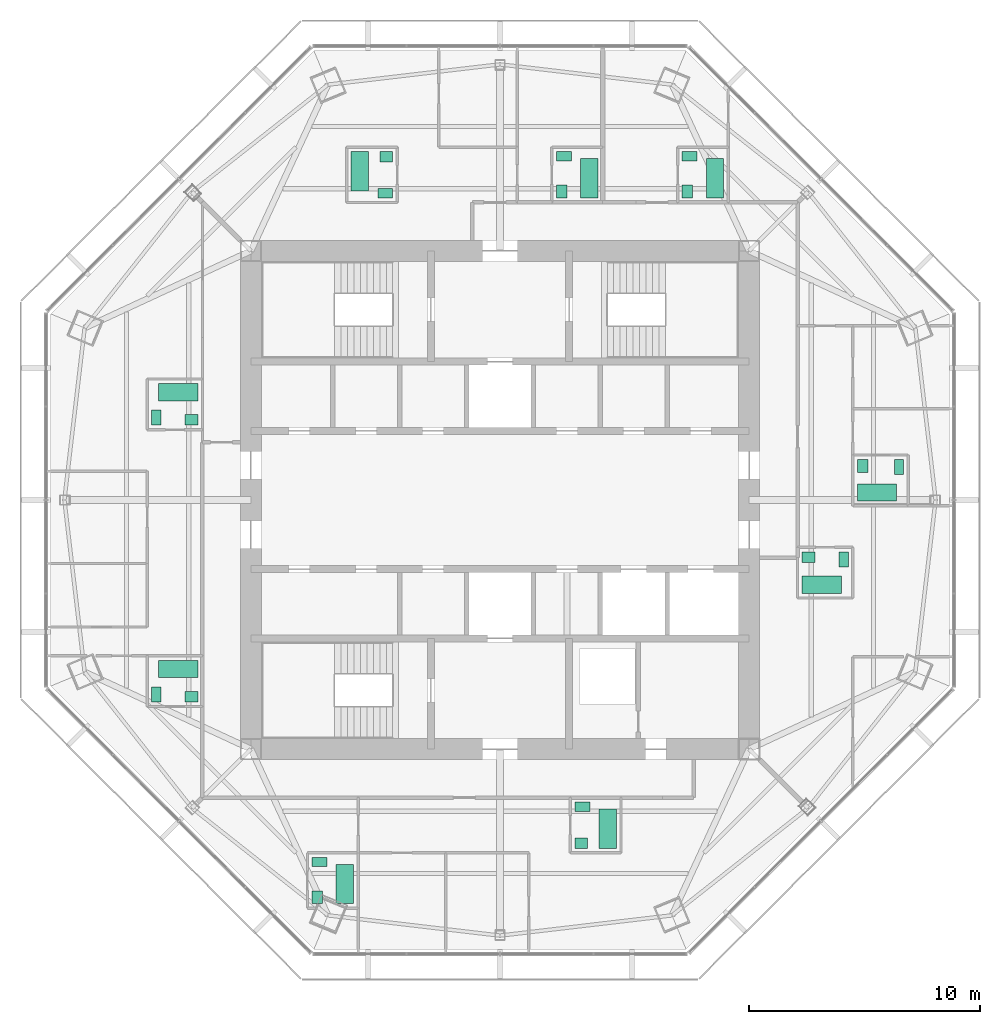
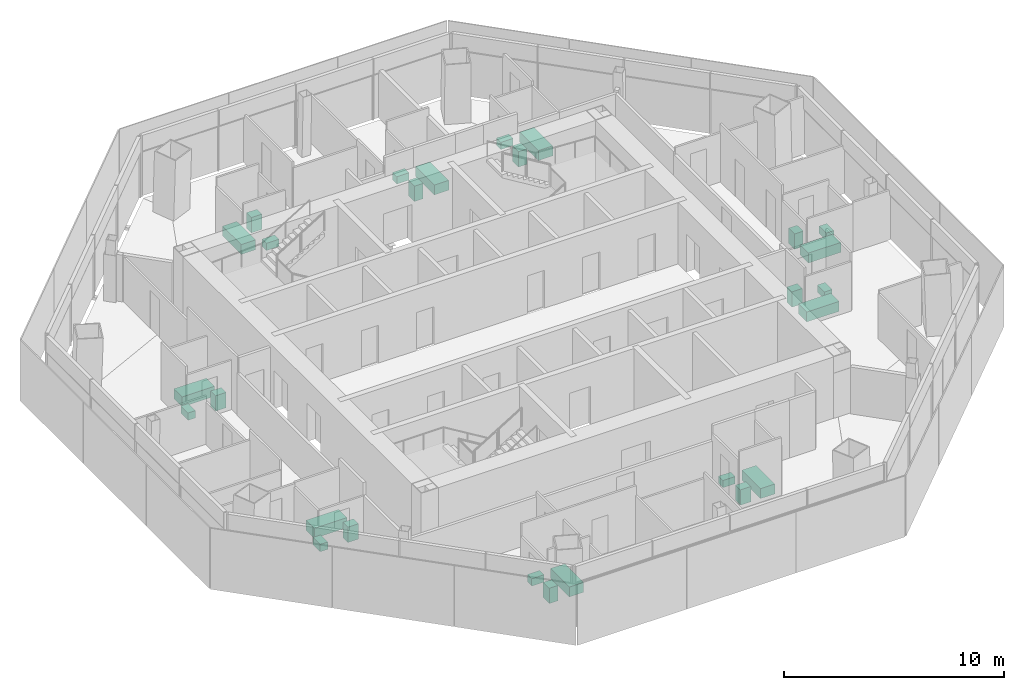
# One storey, part 15 of 15: 27 sanitary terminals.
"""IFC4 building model written with IfcOpenShell, lengths in metres."""

from ifc_helpers import new_model, si_unit, direction, frame, origin, origin_2d, place, context, subcontext, project, spatial, rectangle, extrude, material, type_object, element, save


model = new_model("IFC4")

# Units and contexts
model_context = context("Model", 3, precision=1e-05, world=origin(), true_north=direction((0.0, 1.0)))
body_context = subcontext(model_context, "Body", "Model", "MODEL_VIEW")
ifc_project = project(units=[si_unit("LENGTHUNIT", "METRE"), si_unit("AREAUNIT", "SQUARE_METRE"), si_unit("VOLUMEUNIT", "CUBIC_METRE"), si_unit("PLANEANGLEUNIT", "RADIAN"), si_unit("MASSUNIT", "GRAM", prefix="KILO")], contexts=[model_context])

# Site, building, storey
site_placement = place(None, origin())
site = spatial("IfcSite", under=ifc_project, at=site_placement, CompositionType="ELEMENT")
building_placement = place(site_placement, origin())
building = spatial("IfcBuilding", under=site, at=building_placement, Name="Mashrafa Tower", CompositionType="ELEMENT")
storey_placement = place(building_placement, frame((0.0, 0.0, 294.60009765625)))
storey = spatial("IfcBuildingStorey", under=building, at=storey_placement, Name="L72", CompositionType="ELEMENT", Elevation=294.60009765625)

# Sanitary terminals
ifc_material_1 = material(Name="Enamelled steel", Category="steel")
sanitary_terminal_type_1 = type_object("IfcSanitaryTerminalType", Name="Bath 1700 x 750", PredefinedType="BATH", material=ifc_material_1)
for number, where, z_axis, x_axis, name in (
    (1, (13.949951171875, -3.675048828125, 0.0), (0.0, 0.0, 1.0), (1.0, 0.0, 0.0), "Bath Apartment 7201 Bathroom"),
    (2, (16.35009765625, 0.324951171875, 0.0), (0.0, 0.0, 1.0), (1.0, 0.0, 0.0), "Bath Apartment 7201 En-suite Bathroom"),
    (3, (9.324951171875, 13.949951171875, 0.0), (0.0, 0.0, 1.0), (0.0, 1.0, 0.0), "Bath Apartment 7202 Bathroom"),
    (4, (-6.074951171875, 14.25, 0.0), (0.0, 0.0, 1.0), (0.0, -1.0, 0.0), "Bath Apartment 7203 Bathroom"),
    (5, (3.875, 13.949951171875, 0.0), (0.0, 0.0, 1.0), (0.0, 1.0, 0.0), "Bath Apartment 7203 En-suite Bathroom"),
    (6, (-13.949951171875, 4.675048828125, 0.0), (0.0, 0.0, 1.0), (-1.0, 0.0, 0.0), "Bath Apartment 7204 Bathroom"),
    (7, (-13.949951171875, -7.324951171875, 0.0), (0.0, 0.0, 1.0), (-1.0, 0.0, 0.0), "Bath Apartment 7204 En-suite Bathroom"),
    (8, (4.675048828125, -14.25, 0.0), (0.0, 0.0, 1.0), (0.0, 1.0, 0.0), "Bath Apartment 7205 Bathroom"),
    (9, (-6.72509765625, -16.64990234375, 0.0), (0.0, 0.0, 1.0), (0.0, 1.0, 0.0), "Bath Apartment 7205 En-suite Bathroom"),
):
    element("IfcSanitaryTerminal", number, at=place(storey_placement, frame(where, z_axis=z_axis, x_axis=x_axis)), inside=storey, type_object=sanitary_terminal_type_1, Name=name, PredefinedType="BATH", context=body_context, shape_type="SweptSolid", body=[
        extrude(rectangle(XDim=1.699951171875, YDim=0.75, at=origin_2d()), origin(), (0.0, 0.0, 1.0), 0.550048828125),
    ])
ifc_material_2 = material(Name="Vitreous china")
sanitary_terminal_type_2 = type_object("IfcSanitaryTerminalType", Name="Toilet pan 400 x 650", PredefinedType="TOILETPAN", material=ifc_material_2)
for number, where, z_axis, x_axis, name in (
    (10, (14.89990234375, -2.574951171875, 0.0), (0.0, 0.0, 1.0), (-1.0, 0.0, 0.0), "Toilet pan Apartment 7201 Bathroom"),
    (11, (17.300048828125, 1.425048828125, 0.0), (0.0, 0.0, 1.0), (-1.0, 0.0, 0.0), "Toilet pan Apartment 7201 En-suite Bathroom"),
    (12, (8.22509765625, 14.89990234375, 0.0), (0.0, 0.0, 1.0), (0.0, -1.0, 0.0), "Toilet pan Apartment 7202 Bathroom"),
    (13, (-4.97509765625, 13.300048828125, 0.0), (0.0, 0.0, 1.0), (0.0, 1.0, 0.0), "Toilet pan Apartment 7203 Bathroom"),
    (14, (2.77490234375, 14.89990234375, 0.0), (0.0, 0.0, 1.0), (0.0, -1.0, 0.0), "Toilet pan Apartment 7203 En-suite Bathroom"),
    (15, (-14.89990234375, 3.574951171875, 0.0), (0.0, 0.0, 1.0), (1.0, 0.0, 0.0), "Toilet pan Apartment 7204 Bathroom"),
    (16, (-14.89990234375, -8.425048828125, 0.0), (0.0, 0.0, 1.0), (1.0, 0.0, 0.0), "Toilet pan Apartment 7204 En-suite Bathroom"),
    (17, (3.574951171875, -13.300048828125, 0.0), (0.0, 0.0, 1.0), (0.0, -1.0, 0.0), "Toilet pan Apartment 7205 Bathroom"),
    (18, (-7.824951171875, -15.699951171875, 0.0), (0.0, 0.0, 1.0), (0.0, -1.0, 0.0), "Toilet pan Apartment 7205 En-suite Bathroom"),
):
    element("IfcSanitaryTerminal", number, at=place(storey_placement, frame(where, z_axis=z_axis, x_axis=x_axis)), inside=storey, type_object=sanitary_terminal_type_2, Name=name, PredefinedType="TOILETPAN", context=body_context, shape_type="SweptSolid", body=[
        extrude(rectangle(XDim=0.39990234375, YDim=0.64990234375, at=origin_2d()), origin(), (0.0, 0.0, 1.0), 0.39990234375),
    ])
ifc_material_3 = material(Name="Vitreous china")
sanitary_terminal_type_3 = type_object("IfcSanitaryTerminalType", Name="Wash basin 550 x 450", PredefinedType="WASHHANDBASIN", material=ifc_material_3)
for number, where, z_axis, x_axis, name in (
    (19, (13.375, -2.47509765625, -0.000244140625), (0.0, 0.0, 1.0), (-1.0, 0.0, 0.0), "Wash basin Apartment 7201 Bathroom"),
    (20, (15.72509765625, 1.47509765625, -0.000244140625), (0.0, 0.0, 1.0), (0.0, -1.0, 0.0), "Wash basin Apartment 7201 En-suite Bathroom"),
    (21, (8.125, 13.375, -0.000244140625), (0.0, 0.0, 1.0), (0.0, -1.0, 0.0), "Wash basin Apartment 7202 Bathroom"),
    (22, (-4.925048828125, 14.875, -0.000244140625), (0.0, 0.0, 1.0), (-1.0, 0.0, 0.0), "Wash basin Apartment 7203 Bathroom"),
    (23, (2.675048828125, 13.375, -0.000244140625), (0.0, 0.0, 1.0), (0.0, -1.0, 0.0), "Wash basin Apartment 7203 En-suite Bathroom"),
    (24, (-13.375, 3.47509765625, -0.000244140625), (0.0, 0.0, 1.0), (1.0, 0.0, 0.0), "Wash basin Apartment 7204 Bathroom"),
    (25, (-13.375, -8.52490234375, -0.000244140625), (0.0, 0.0, 1.0), (1.0, 0.0, 0.0), "Wash basin Apartment 7204 En-suite Bathroom"),
    (26, (3.52490234375, -14.875, -0.000244140625), (0.0, 0.0, 1.0), (1.0, 0.0, 0.0), "Wash basin Apartment 7205 Bathroom"),
    (27, (-7.925048828125, -17.22509765625, -0.000244140625), (0.0, 0.0, 1.0), (0.0, -1.0, 0.0), "Wash basin Apartment 7205 En-suite Bathroom"),
):
    element("IfcSanitaryTerminal", number, at=place(storey_placement, frame(where, z_axis=z_axis, x_axis=x_axis)), inside=storey, type_object=sanitary_terminal_type_3, Name=name, PredefinedType="WASHHANDBASIN", context=body_context, shape_type="SweptSolid", body=[
        extrude(rectangle(XDim=0.550048828125, YDim=0.449951171875, at=origin_2d()), origin(), (0.0, 0.0, 1.0), 0.85009765625),
    ])

save(model, "model.ifc")
